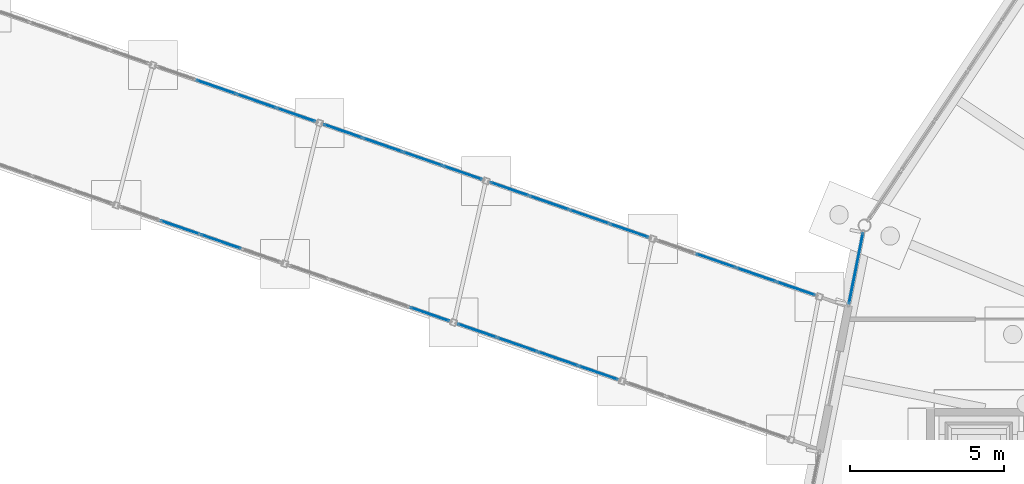
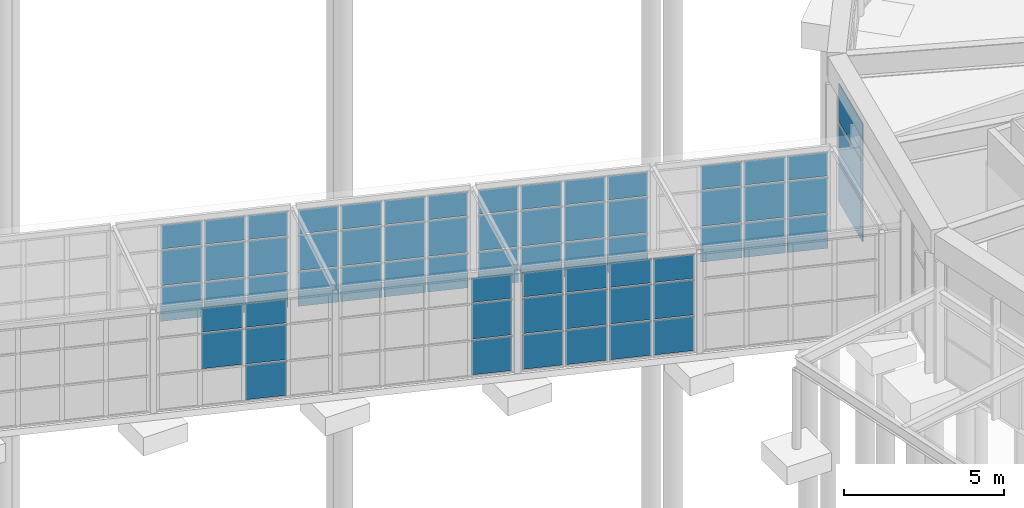
# One storey, part 126 of 226: 65 plates, 8 elements without a shape of their own.
"""IFC4 building model written with IfcOpenShell, lengths in metres."""

from ifc_helpers import new_model, si_unit, direction, frame, origin, origin_2d, place, context, subcontext, project, spatial, rectangle, extrude, material, layer, layer_set, type_object, element, aggregate, save


model = new_model("IFC4")

# Units and contexts
model_context = context("Model", 3, precision=1e-05, world=origin(), true_north=direction((0.0, 1.0)))
body_context = subcontext(model_context, "Body", "Model", "MODEL_VIEW")
ifc_project = project(units=[si_unit("LENGTHUNIT", "METRE"), si_unit("AREAUNIT", "SQUARE_METRE"), si_unit("VOLUMEUNIT", "CUBIC_METRE"), si_unit("PLANEANGLEUNIT", "RADIAN"), si_unit("MASSUNIT", "GRAM", prefix="KILO")], contexts=[model_context])

# Site, building, storey
site_placement = place(None, origin())
site = spatial("IfcSite", under=ifc_project, at=site_placement, CompositionType="ELEMENT")
building_placement = place(site_placement, origin())
building = spatial("IfcBuilding", under=site, at=building_placement, Name="Ceibo Conservatory and Research Tower", CompositionType="ELEMENT")
storey_placement = place(building_placement, origin())
storey = spatial("IfcBuildingStorey", under=building, at=storey_placement, Name="L00", CompositionType="ELEMENT", Elevation=0.0)

# Curtain wall, plates
ifc_material_1 = material(Name="Aluminium and glass", Category="aluminium")
curtain_wall_type_1 = type_object("IfcCurtainWallType", Name="Gallery curtain wall", PredefinedType="NOTDEFINED", material=ifc_material_1)
curtain_wall_1_placement = place(storey_placement, origin())
curtain_wall_1 = element("IfcCurtainWall", 1, at=curtain_wall_1_placement, inside=storey, type_object=curtain_wall_type_1, Name="Gallery curtain wall AUD-VC-CWN11", PredefinedType="NOTDEFINED")
ifc_material_2 = material(Name="Laminated glass", Category="glass")
ifc_layer_1 = layer(ifc_material_2, 0.028076171875)
ifc_layer_set_1 = layer_set([ifc_layer_1], Name="Laminated glass")
plate_type_1 = type_object("IfcPlateType", Name="Gallery glass 28", PredefinedType="CURTAIN_PANEL", material=ifc_layer_set_1)
plate_1_placement = place(storey_placement, frame((122.8818359375, 50.451171875, 0.06005859375), z_axis=(0.0, 0.0, 1.0), x_axis=(0.944579236191, -0.328283515513, 0.0)))
plate_1 = element("IfcPlate", 2, at=plate_1_placement, type_object=plate_type_1, Name="AUD-VC-CWN11 panel 2.1", PredefinedType="CURTAIN_PANEL", context=body_context, shape_type="SweptSolid", body=[
    extrude(rectangle(XDim=1.32470703125, YDim=0.028076171875, at=origin_2d()), origin(), (0.0, 0.0, 1.0), 1.31005859375),
])
plate_2_placement = place(storey_placement, frame((122.8818359375, 50.451171875, 1.43017578125), z_axis=(0.0, 0.0, 1.0), x_axis=(0.944579236191, -0.328283515513, 0.0)))
plate_2 = element("IfcPlate", 3, at=plate_2_placement, type_object=plate_type_1, Name="AUD-VC-CWN11 panel 2.2", PredefinedType="CURTAIN_PANEL", context=body_context, shape_type="SweptSolid", body=[
    extrude(rectangle(XDim=1.32470703125, YDim=0.028076171875, at=origin_2d()), origin(), (0.0, 0.0, 1.0), 1.340087890625),
])
plate_3_placement = place(storey_placement, frame((122.8818359375, 50.451171875, 2.830078125), z_axis=(0.0, 0.0, 1.0), x_axis=(0.944579236191, -0.328283515513, 0.0)))
plate_3 = element("IfcPlate", 4, at=plate_3_placement, type_object=plate_type_1, Name="AUD-VC-CWN11 panel 2.3", PredefinedType="CURTAIN_PANEL", context=body_context, shape_type="SweptSolid", body=[
    extrude(rectangle(XDim=1.32470703125, YDim=0.028076171875, at=origin_2d()), origin(), (0.0, 0.0, 1.0), 0.909912109375),
])
plate_4_placement = place(storey_placement, frame((124.189697265625, 49.99658203125, 0.06005859375), z_axis=(0.0, 0.0, 1.0), x_axis=(0.944579236191, -0.328283515513, 0.0)))
plate_4 = element("IfcPlate", 5, at=plate_4_placement, type_object=plate_type_1, Name="AUD-VC-CWN11 panel 3.1", PredefinedType="CURTAIN_PANEL", context=body_context, shape_type="SweptSolid", body=[
    extrude(rectangle(XDim=1.32470703125, YDim=0.028076171875, at=origin_2d()), origin(), (0.0, 0.0, 1.0), 1.31005859375),
])
plate_5_placement = place(storey_placement, frame((124.189697265625, 49.99658203125, 1.43017578125), z_axis=(0.0, 0.0, 1.0), x_axis=(0.944579236191, -0.328283515513, 0.0)))
plate_5 = element("IfcPlate", 6, at=plate_5_placement, type_object=plate_type_1, Name="AUD-VC-CWN11 panel 3.2", PredefinedType="CURTAIN_PANEL", context=body_context, shape_type="SweptSolid", body=[
    extrude(rectangle(XDim=1.32470703125, YDim=0.028076171875, at=origin_2d()), origin(), (0.0, 0.0, 1.0), 1.340087890625),
])
plate_6_placement = place(storey_placement, frame((124.189697265625, 49.99658203125, 2.830078125), z_axis=(0.0, 0.0, 1.0), x_axis=(0.944579236191, -0.328283515513, 0.0)))
plate_6 = element("IfcPlate", 7, at=plate_6_placement, type_object=plate_type_1, Name="AUD-VC-CWN11 panel 3.3", PredefinedType="CURTAIN_PANEL", context=body_context, shape_type="SweptSolid", body=[
    extrude(rectangle(XDim=1.32470703125, YDim=0.028076171875, at=origin_2d()), origin(), (0.0, 0.0, 1.0), 0.909912109375),
])
plate_7_placement = place(storey_placement, frame((125.4833984375, 49.546875, 0.06005859375), z_axis=(0.0, 0.0, 1.0), x_axis=(0.944579236191, -0.328283515513, 0.0)))
plate_7 = element("IfcPlate", 8, at=plate_7_placement, type_object=plate_type_1, Name="AUD-VC-CWN11 panel 4.1", PredefinedType="CURTAIN_PANEL", context=body_context, shape_type="SweptSolid", body=[
    extrude(rectangle(XDim=1.294677734375, YDim=0.028076171875, at=origin_2d()), origin(), (0.0, 0.0, 1.0), 1.31005859375),
])
plate_8_placement = place(storey_placement, frame((125.4833984375, 49.546875, 1.43017578125), z_axis=(0.0, 0.0, 1.0), x_axis=(0.944579236191, -0.328283515513, 0.0)))
plate_8 = element("IfcPlate", 9, at=plate_8_placement, type_object=plate_type_1, Name="AUD-VC-CWN11 panel 4.2", PredefinedType="CURTAIN_PANEL", context=body_context, shape_type="SweptSolid", body=[
    extrude(rectangle(XDim=1.294677734375, YDim=0.028076171875, at=origin_2d()), origin(), (0.0, 0.0, 1.0), 1.340087890625),
])
plate_9_placement = place(storey_placement, frame((125.4833984375, 49.546875, 2.830078125), z_axis=(0.0, 0.0, 1.0), x_axis=(0.944579236191, -0.328283515513, 0.0)))
plate_9 = element("IfcPlate", 10, at=plate_9_placement, type_object=plate_type_1, Name="AUD-VC-CWN11 panel 4.3", PredefinedType="CURTAIN_PANEL", context=body_context, shape_type="SweptSolid", body=[
    extrude(rectangle(XDim=1.294677734375, YDim=0.028076171875, at=origin_2d()), origin(), (0.0, 0.0, 1.0), 0.909912109375),
])
aggregate(curtain_wall_1, [plate_1, plate_2, plate_3, plate_4, plate_5, plate_6, plate_7, plate_8, plate_9])

curtain_wall_2_placement = place(storey_placement, origin())
curtain_wall_2 = element("IfcCurtainWall", 11, at=curtain_wall_2_placement, inside=storey, type_object=curtain_wall_type_1, Name="Gallery curtain wall AUD-VC-CWN12", PredefinedType="NOTDEFINED")
plate_10_placement = place(storey_placement, frame((127.008544921875, 49.016845703125, 0.06005859375), z_axis=(0.0, 0.0, 1.0), x_axis=(0.944579236191, -0.328283515513, 0.0)))
plate_10 = element("IfcPlate", 12, at=plate_10_placement, type_object=plate_type_1, Name="AUD-VC-CWN12 panel 1.1", PredefinedType="CURTAIN_PANEL", context=body_context, shape_type="SweptSolid", body=[
    extrude(rectangle(XDim=1.294677734375, YDim=0.028076171875, at=origin_2d()), origin(), (0.0, 0.0, 1.0), 1.31005859375),
])
plate_11_placement = place(storey_placement, frame((127.008544921875, 49.016845703125, 1.43017578125), z_axis=(0.0, 0.0, 1.0), x_axis=(0.944579236191, -0.328283515513, 0.0)))
plate_11 = element("IfcPlate", 13, at=plate_11_placement, type_object=plate_type_1, Name="AUD-VC-CWN12 panel 1.2", PredefinedType="CURTAIN_PANEL", context=body_context, shape_type="SweptSolid", body=[
    extrude(rectangle(XDim=1.294677734375, YDim=0.028076171875, at=origin_2d()), origin(), (0.0, 0.0, 1.0), 1.340087890625),
])
plate_12_placement = place(storey_placement, frame((127.008544921875, 49.016845703125, 2.830078125), z_axis=(0.0, 0.0, 1.0), x_axis=(0.944579236191, -0.328283515513, 0.0)))
plate_12 = element("IfcPlate", 14, at=plate_12_placement, type_object=plate_type_1, Name="AUD-VC-CWN12 panel 1.3", PredefinedType="CURTAIN_PANEL", context=body_context, shape_type="SweptSolid", body=[
    extrude(rectangle(XDim=1.294677734375, YDim=0.028076171875, at=origin_2d()), origin(), (0.0, 0.0, 1.0), 0.909912109375),
])
plate_13_placement = place(storey_placement, frame((128.302490234375, 48.567138671875, 0.06005859375), z_axis=(0.0, 0.0, 1.0), x_axis=(0.944579236191, -0.328283515513, 0.0)))
plate_13 = element("IfcPlate", 15, at=plate_13_placement, type_object=plate_type_1, Name="AUD-VC-CWN12 panel 2.1", PredefinedType="CURTAIN_PANEL", context=body_context, shape_type="SweptSolid", body=[
    extrude(rectangle(XDim=1.32470703125, YDim=0.028076171875, at=origin_2d()), origin(), (0.0, 0.0, 1.0), 1.31005859375),
])
plate_14_placement = place(storey_placement, frame((128.302490234375, 48.567138671875, 1.43017578125), z_axis=(0.0, 0.0, 1.0), x_axis=(0.944579236191, -0.328283515513, 0.0)))
plate_14 = element("IfcPlate", 16, at=plate_14_placement, type_object=plate_type_1, Name="AUD-VC-CWN12 panel 2.2", PredefinedType="CURTAIN_PANEL", context=body_context, shape_type="SweptSolid", body=[
    extrude(rectangle(XDim=1.32470703125, YDim=0.028076171875, at=origin_2d()), origin(), (0.0, 0.0, 1.0), 1.340087890625),
])
plate_15_placement = place(storey_placement, frame((128.302490234375, 48.567138671875, 2.830078125), z_axis=(0.0, 0.0, 1.0), x_axis=(0.944579236191, -0.328283515513, 0.0)))
plate_15 = element("IfcPlate", 17, at=plate_15_placement, type_object=plate_type_1, Name="AUD-VC-CWN12 panel 2.3", PredefinedType="CURTAIN_PANEL", context=body_context, shape_type="SweptSolid", body=[
    extrude(rectangle(XDim=1.32470703125, YDim=0.028076171875, at=origin_2d()), origin(), (0.0, 0.0, 1.0), 0.909912109375),
])
plate_16_placement = place(storey_placement, frame((129.6103515625, 48.112548828125, 0.06005859375), z_axis=(0.0, 0.0, 1.0), x_axis=(0.944579236191, -0.328283515513, 0.0)))
plate_16 = element("IfcPlate", 18, at=plate_16_placement, type_object=plate_type_1, Name="AUD-VC-CWN12 panel 3.1", PredefinedType="CURTAIN_PANEL", context=body_context, shape_type="SweptSolid", body=[
    extrude(rectangle(XDim=1.32470703125, YDim=0.028076171875, at=origin_2d()), origin(), (0.0, 0.0, 1.0), 1.31005859375),
])
plate_17_placement = place(storey_placement, frame((129.6103515625, 48.112548828125, 1.43017578125), z_axis=(0.0, 0.0, 1.0), x_axis=(0.944579236191, -0.328283515513, 0.0)))
plate_17 = element("IfcPlate", 19, at=plate_17_placement, type_object=plate_type_1, Name="AUD-VC-CWN12 panel 3.2", PredefinedType="CURTAIN_PANEL", context=body_context, shape_type="SweptSolid", body=[
    extrude(rectangle(XDim=1.32470703125, YDim=0.028076171875, at=origin_2d()), origin(), (0.0, 0.0, 1.0), 1.340087890625),
])
plate_18_placement = place(storey_placement, frame((129.6103515625, 48.112548828125, 2.830078125), z_axis=(0.0, 0.0, 1.0), x_axis=(0.944579236191, -0.328283515513, 0.0)))
plate_18 = element("IfcPlate", 20, at=plate_18_placement, type_object=plate_type_1, Name="AUD-VC-CWN12 panel 3.3", PredefinedType="CURTAIN_PANEL", context=body_context, shape_type="SweptSolid", body=[
    extrude(rectangle(XDim=1.32470703125, YDim=0.028076171875, at=origin_2d()), origin(), (0.0, 0.0, 1.0), 0.909912109375),
])
plate_19_placement = place(storey_placement, frame((130.904052734375, 47.6630859375, 0.06005859375), z_axis=(0.0, 0.0, 1.0), x_axis=(0.944579236191, -0.328283515513, 0.0)))
plate_19 = element("IfcPlate", 21, at=plate_19_placement, type_object=plate_type_1, Name="AUD-VC-CWN12 panel 4.1", PredefinedType="CURTAIN_PANEL", context=body_context, shape_type="SweptSolid", body=[
    extrude(rectangle(XDim=1.294677734375, YDim=0.028076171875, at=origin_2d()), origin(), (0.0, 0.0, 1.0), 1.31005859375),
])
plate_20_placement = place(storey_placement, frame((130.904052734375, 47.6630859375, 1.43017578125), z_axis=(0.0, 0.0, 1.0), x_axis=(0.944579236191, -0.328283515513, 0.0)))
plate_20 = element("IfcPlate", 22, at=plate_20_placement, type_object=plate_type_1, Name="AUD-VC-CWN12 panel 4.2", PredefinedType="CURTAIN_PANEL", context=body_context, shape_type="SweptSolid", body=[
    extrude(rectangle(XDim=1.294677734375, YDim=0.028076171875, at=origin_2d()), origin(), (0.0, 0.0, 1.0), 1.340087890625),
])
plate_21_placement = place(storey_placement, frame((130.904052734375, 47.6630859375, 2.830078125), z_axis=(0.0, 0.0, 1.0), x_axis=(0.944579236191, -0.328283515513, 0.0)))
plate_21 = element("IfcPlate", 23, at=plate_21_placement, type_object=plate_type_1, Name="AUD-VC-CWN12 panel 4.3", PredefinedType="CURTAIN_PANEL", context=body_context, shape_type="SweptSolid", body=[
    extrude(rectangle(XDim=1.294677734375, YDim=0.028076171875, at=origin_2d()), origin(), (0.0, 0.0, 1.0), 0.909912109375),
])
aggregate(curtain_wall_2, [plate_10, plate_11, plate_12, plate_13, plate_14, plate_15, plate_16, plate_17, plate_18, plate_19, plate_20, plate_21])

curtain_wall_3_placement = place(storey_placement, origin())
curtain_wall_3 = element("IfcCurtainWall", 24, at=curtain_wall_3_placement, inside=storey, type_object=curtain_wall_type_1, Name="Gallery curtain wall AUD-VC-CWN13", PredefinedType="NOTDEFINED")
plate_22_placement = place(storey_placement, frame((132.42919921875, 47.133056640625, 0.06005859375), z_axis=(0.0, 0.0, 1.0), x_axis=(0.944579236191, -0.328283515513, 0.0)))
plate_22 = element("IfcPlate", 25, at=plate_22_placement, type_object=plate_type_1, Name="AUD-VC-CWN13 panel 1.1", PredefinedType="CURTAIN_PANEL", context=body_context, shape_type="SweptSolid", body=[
    extrude(rectangle(XDim=1.294677734375, YDim=0.028076171875, at=origin_2d()), origin(), (0.0, 0.0, 1.0), 1.31005859375),
])
plate_23_placement = place(storey_placement, frame((132.42919921875, 47.133056640625, 1.43017578125), z_axis=(0.0, 0.0, 1.0), x_axis=(0.944579236191, -0.328283515513, 0.0)))
plate_23 = element("IfcPlate", 26, at=plate_23_placement, type_object=plate_type_1, Name="AUD-VC-CWN13 panel 1.2", PredefinedType="CURTAIN_PANEL", context=body_context, shape_type="SweptSolid", body=[
    extrude(rectangle(XDim=1.294677734375, YDim=0.028076171875, at=origin_2d()), origin(), (0.0, 0.0, 1.0), 1.340087890625),
])
plate_24_placement = place(storey_placement, frame((132.42919921875, 47.133056640625, 2.830078125), z_axis=(0.0, 0.0, 1.0), x_axis=(0.944579236191, -0.328283515513, 0.0)))
plate_24 = element("IfcPlate", 27, at=plate_24_placement, type_object=plate_type_1, Name="AUD-VC-CWN13 panel 1.3", PredefinedType="CURTAIN_PANEL", context=body_context, shape_type="SweptSolid", body=[
    extrude(rectangle(XDim=1.294677734375, YDim=0.028076171875, at=origin_2d()), origin(), (0.0, 0.0, 1.0), 0.909912109375),
])
plate_25_placement = place(storey_placement, frame((133.722900390625, 46.683349609375, 0.06005859375), z_axis=(0.0, 0.0, 1.0), x_axis=(0.944579236191, -0.328283515513, 0.0)))
plate_25 = element("IfcPlate", 28, at=plate_25_placement, type_object=plate_type_1, Name="AUD-VC-CWN13 panel 2.1", PredefinedType="CURTAIN_PANEL", context=body_context, shape_type="SweptSolid", body=[
    extrude(rectangle(XDim=1.32470703125, YDim=0.028076171875, at=origin_2d()), origin(), (0.0, 0.0, 1.0), 1.31005859375),
])
plate_26_placement = place(storey_placement, frame((133.722900390625, 46.683349609375, 1.43017578125), z_axis=(0.0, 0.0, 1.0), x_axis=(0.944579236191, -0.328283515513, 0.0)))
plate_26 = element("IfcPlate", 29, at=plate_26_placement, type_object=plate_type_1, Name="AUD-VC-CWN13 panel 2.2", PredefinedType="CURTAIN_PANEL", context=body_context, shape_type="SweptSolid", body=[
    extrude(rectangle(XDim=1.32470703125, YDim=0.028076171875, at=origin_2d()), origin(), (0.0, 0.0, 1.0), 1.340087890625),
])
plate_27_placement = place(storey_placement, frame((133.722900390625, 46.683349609375, 2.830078125), z_axis=(0.0, 0.0, 1.0), x_axis=(0.944579236191, -0.328283515513, 0.0)))
plate_27 = element("IfcPlate", 30, at=plate_27_placement, type_object=plate_type_1, Name="AUD-VC-CWN13 panel 2.3", PredefinedType="CURTAIN_PANEL", context=body_context, shape_type="SweptSolid", body=[
    extrude(rectangle(XDim=1.32470703125, YDim=0.028076171875, at=origin_2d()), origin(), (0.0, 0.0, 1.0), 0.909912109375),
])
plate_28_placement = place(storey_placement, frame((135.031005859375, 46.228759765625, 0.06005859375), z_axis=(0.0, 0.0, 1.0), x_axis=(0.944579236191, -0.328283515513, 0.0)))
plate_28 = element("IfcPlate", 31, at=plate_28_placement, type_object=plate_type_1, Name="AUD-VC-CWN13 panel 3.1", PredefinedType="CURTAIN_PANEL", context=body_context, shape_type="SweptSolid", body=[
    extrude(rectangle(XDim=1.32470703125, YDim=0.028076171875, at=origin_2d()), origin(), (0.0, 0.0, 1.0), 1.31005859375),
])
plate_29_placement = place(storey_placement, frame((135.031005859375, 46.228759765625, 1.43017578125), z_axis=(0.0, 0.0, 1.0), x_axis=(0.944579236191, -0.328283515513, 0.0)))
plate_29 = element("IfcPlate", 32, at=plate_29_placement, type_object=plate_type_1, Name="AUD-VC-CWN13 panel 3.2", PredefinedType="CURTAIN_PANEL", context=body_context, shape_type="SweptSolid", body=[
    extrude(rectangle(XDim=1.32470703125, YDim=0.028076171875, at=origin_2d()), origin(), (0.0, 0.0, 1.0), 1.340087890625),
])
plate_30_placement = place(storey_placement, frame((135.031005859375, 46.228759765625, 2.830078125), z_axis=(0.0, 0.0, 1.0), x_axis=(0.944579236191, -0.328283515513, 0.0)))
plate_30 = element("IfcPlate", 33, at=plate_30_placement, type_object=plate_type_1, Name="AUD-VC-CWN13 panel 3.3", PredefinedType="CURTAIN_PANEL", context=body_context, shape_type="SweptSolid", body=[
    extrude(rectangle(XDim=1.32470703125, YDim=0.028076171875, at=origin_2d()), origin(), (0.0, 0.0, 1.0), 0.909912109375),
])
plate_31_placement = place(storey_placement, frame((136.32470703125, 45.779052734375, 0.06005859375), z_axis=(0.0, 0.0, 1.0), x_axis=(0.944579236191, -0.328283515513, 0.0)))
plate_31 = element("IfcPlate", 34, at=plate_31_placement, type_object=plate_type_1, Name="AUD-VC-CWN13 panel 4.1", PredefinedType="CURTAIN_PANEL", context=body_context, shape_type="SweptSolid", body=[
    extrude(rectangle(XDim=1.294677734375, YDim=0.028076171875, at=origin_2d()), origin(), (0.0, 0.0, 1.0), 1.31005859375),
])
plate_32_placement = place(storey_placement, frame((136.32470703125, 45.779052734375, 1.43017578125), z_axis=(0.0, 0.0, 1.0), x_axis=(0.944579236191, -0.328283515513, 0.0)))
plate_32 = element("IfcPlate", 35, at=plate_32_placement, type_object=plate_type_1, Name="AUD-VC-CWN13 panel 4.2", PredefinedType="CURTAIN_PANEL", context=body_context, shape_type="SweptSolid", body=[
    extrude(rectangle(XDim=1.294677734375, YDim=0.028076171875, at=origin_2d()), origin(), (0.0, 0.0, 1.0), 1.340087890625),
])
plate_33_placement = place(storey_placement, frame((136.32470703125, 45.779052734375, 2.830078125), z_axis=(0.0, 0.0, 1.0), x_axis=(0.944579236191, -0.328283515513, 0.0)))
plate_33 = element("IfcPlate", 36, at=plate_33_placement, type_object=plate_type_1, Name="AUD-VC-CWN13 panel 4.3", PredefinedType="CURTAIN_PANEL", context=body_context, shape_type="SweptSolid", body=[
    extrude(rectangle(XDim=1.294677734375, YDim=0.028076171875, at=origin_2d()), origin(), (0.0, 0.0, 1.0), 0.909912109375),
])
aggregate(curtain_wall_3, [plate_22, plate_23, plate_24, plate_25, plate_26, plate_27, plate_28, plate_29, plate_30, plate_31, plate_32, plate_33])

curtain_wall_4_placement = place(storey_placement, origin())
curtain_wall_4 = element("IfcCurtainWall", 37, at=curtain_wall_4_placement, inside=storey, type_object=curtain_wall_type_1, Name="Gallery curtain wall AUD-VC-CWN14", PredefinedType="NOTDEFINED")
plate_34_placement = place(storey_placement, frame((139.1435546875, 44.79931640625, 0.06005859375), z_axis=(0.0, 0.0, 1.0), x_axis=(0.944579236191, -0.328283515513, 0.0)))
plate_34 = element("IfcPlate", 38, at=plate_34_placement, type_object=plate_type_1, Name="AUD-VC-CWN14 panel 2.1", PredefinedType="CURTAIN_PANEL", context=body_context, shape_type="SweptSolid", body=[
    extrude(rectangle(XDim=1.32470703125, YDim=0.028076171875, at=origin_2d()), origin(), (0.0, 0.0, 1.0), 1.31005859375),
])
plate_35_placement = place(storey_placement, frame((139.1435546875, 44.79931640625, 1.43017578125), z_axis=(0.0, 0.0, 1.0), x_axis=(0.944579236191, -0.328283515513, 0.0)))
plate_35 = element("IfcPlate", 39, at=plate_35_placement, type_object=plate_type_1, Name="AUD-VC-CWN14 panel 2.2", PredefinedType="CURTAIN_PANEL", context=body_context, shape_type="SweptSolid", body=[
    extrude(rectangle(XDim=1.32470703125, YDim=0.028076171875, at=origin_2d()), origin(), (0.0, 0.0, 1.0), 1.340087890625),
])
plate_36_placement = place(storey_placement, frame((139.1435546875, 44.79931640625, 2.830078125), z_axis=(0.0, 0.0, 1.0), x_axis=(0.944579236191, -0.328283515513, 0.0)))
plate_36 = element("IfcPlate", 40, at=plate_36_placement, type_object=plate_type_1, Name="AUD-VC-CWN14 panel 2.3", PredefinedType="CURTAIN_PANEL", context=body_context, shape_type="SweptSolid", body=[
    extrude(rectangle(XDim=1.32470703125, YDim=0.028076171875, at=origin_2d()), origin(), (0.0, 0.0, 1.0), 0.909912109375),
])
plate_37_placement = place(storey_placement, frame((140.451416015625, 44.344970703125, 0.06005859375), z_axis=(0.0, 0.0, 1.0), x_axis=(0.944579236191, -0.328283515513, 0.0)))
plate_37 = element("IfcPlate", 41, at=plate_37_placement, type_object=plate_type_1, Name="AUD-VC-CWN14 panel 3.1", PredefinedType="CURTAIN_PANEL", context=body_context, shape_type="SweptSolid", body=[
    extrude(rectangle(XDim=1.32470703125, YDim=0.028076171875, at=origin_2d()), origin(), (0.0, 0.0, 1.0), 1.31005859375),
])
plate_38_placement = place(storey_placement, frame((140.451416015625, 44.344970703125, 1.43017578125), z_axis=(0.0, 0.0, 1.0), x_axis=(0.944579236191, -0.328283515513, 0.0)))
plate_38 = element("IfcPlate", 42, at=plate_38_placement, type_object=plate_type_1, Name="AUD-VC-CWN14 panel 3.2", PredefinedType="CURTAIN_PANEL", context=body_context, shape_type="SweptSolid", body=[
    extrude(rectangle(XDim=1.32470703125, YDim=0.028076171875, at=origin_2d()), origin(), (0.0, 0.0, 1.0), 1.340087890625),
])
plate_39_placement = place(storey_placement, frame((140.451416015625, 44.344970703125, 2.830078125), z_axis=(0.0, 0.0, 1.0), x_axis=(0.944579236191, -0.328283515513, 0.0)))
plate_39 = element("IfcPlate", 43, at=plate_39_placement, type_object=plate_type_1, Name="AUD-VC-CWN14 panel 3.3", PredefinedType="CURTAIN_PANEL", context=body_context, shape_type="SweptSolid", body=[
    extrude(rectangle(XDim=1.32470703125, YDim=0.028076171875, at=origin_2d()), origin(), (0.0, 0.0, 1.0), 0.909912109375),
])
plate_40_placement = place(storey_placement, frame((141.745361328125, 43.895263671875, 0.06005859375), z_axis=(0.0, 0.0, 1.0), x_axis=(0.944579236191, -0.328283515513, 0.0)))
plate_40 = element("IfcPlate", 44, at=plate_40_placement, type_object=plate_type_1, Name="AUD-VC-CWN14 panel 4.1", PredefinedType="CURTAIN_PANEL", context=body_context, shape_type="SweptSolid", body=[
    extrude(rectangle(XDim=1.294677734375, YDim=0.028076171875, at=origin_2d()), origin(), (0.0, 0.0, 1.0), 1.31005859375),
])
plate_41_placement = place(storey_placement, frame((141.745361328125, 43.895263671875, 1.43017578125), z_axis=(0.0, 0.0, 1.0), x_axis=(0.944579236191, -0.328283515513, 0.0)))
plate_41 = element("IfcPlate", 45, at=plate_41_placement, type_object=plate_type_1, Name="AUD-VC-CWN14 panel 4.2", PredefinedType="CURTAIN_PANEL", context=body_context, shape_type="SweptSolid", body=[
    extrude(rectangle(XDim=1.294677734375, YDim=0.028076171875, at=origin_2d()), origin(), (0.0, 0.0, 1.0), 1.340087890625),
])
plate_42_placement = place(storey_placement, frame((141.745361328125, 43.895263671875, 2.830078125), z_axis=(0.0, 0.0, 1.0), x_axis=(0.944579236191, -0.328283515513, 0.0)))
plate_42 = element("IfcPlate", 46, at=plate_42_placement, type_object=plate_type_1, Name="AUD-VC-CWN14 panel 4.3", PredefinedType="CURTAIN_PANEL", context=body_context, shape_type="SweptSolid", body=[
    extrude(rectangle(XDim=1.294677734375, YDim=0.028076171875, at=origin_2d()), origin(), (0.0, 0.0, 1.0), 0.909912109375),
])
aggregate(curtain_wall_4, [plate_34, plate_35, plate_36, plate_37, plate_38, plate_39, plate_40, plate_41, plate_42])

curtain_wall_5_placement = place(storey_placement, origin())
curtain_wall_5 = element("IfcCurtainWall", 47, at=curtain_wall_5_placement, inside=storey, type_object=curtain_wall_type_1, Name="Gallery curtain wall AUD-VC-CWS11", PredefinedType="NOTDEFINED")
plate_43_placement = place(storey_placement, frame((121.710693359375, 45.88232421875, 1.43017578125), z_axis=(0.0, 0.0, 1.0), x_axis=(0.944579236191, -0.328283515513, 0.0)))
plate_43 = element("IfcPlate", 48, at=plate_43_placement, type_object=plate_type_1, Name="AUD-VC-CWS11 panel 2.2", PredefinedType="CURTAIN_PANEL", context=body_context, shape_type="SweptSolid", body=[
    extrude(rectangle(XDim=1.342529296875, YDim=0.028076171875, at=origin_2d()), origin(), (0.0, 0.0, 1.0), 1.340087890625),
])
plate_44_placement = place(storey_placement, frame((121.710693359375, 45.88232421875, 2.830078125), z_axis=(0.0, 0.0, 1.0), x_axis=(0.944579236191, -0.328283515513, 0.0)))
plate_44 = element("IfcPlate", 49, at=plate_44_placement, type_object=plate_type_1, Name="AUD-VC-CWS11 panel 2.3", PredefinedType="CURTAIN_PANEL", context=body_context, shape_type="SweptSolid", body=[
    extrude(rectangle(XDim=1.342529296875, YDim=0.028076171875, at=origin_2d()), origin(), (0.0, 0.0, 1.0), 0.909912109375),
])
plate_45_placement = place(storey_placement, frame((123.035400390625, 45.421875, 0.06005859375), z_axis=(0.0, 0.0, 1.0), x_axis=(0.944579236191, -0.328283515513, 0.0)))
plate_45 = element("IfcPlate", 50, at=plate_45_placement, type_object=plate_type_1, Name="AUD-VC-CWS11 panel 3.1", PredefinedType="CURTAIN_PANEL", context=body_context, shape_type="SweptSolid", body=[
    extrude(rectangle(XDim=1.342529296875, YDim=0.028076171875, at=origin_2d()), origin(), (0.0, 0.0, 1.0), 1.31005859375),
])
plate_46_placement = place(storey_placement, frame((123.035400390625, 45.421875, 1.43017578125), z_axis=(0.0, 0.0, 1.0), x_axis=(0.944579236191, -0.328283515513, 0.0)))
plate_46 = element("IfcPlate", 51, at=plate_46_placement, type_object=plate_type_1, Name="AUD-VC-CWS11 panel 3.2", PredefinedType="CURTAIN_PANEL", context=body_context, shape_type="SweptSolid", body=[
    extrude(rectangle(XDim=1.342529296875, YDim=0.028076171875, at=origin_2d()), origin(), (0.0, 0.0, 1.0), 1.340087890625),
])
plate_47_placement = place(storey_placement, frame((123.035400390625, 45.421875, 2.830078125), z_axis=(0.0, 0.0, 1.0), x_axis=(0.944579236191, -0.328283515513, 0.0)))
plate_47 = element("IfcPlate", 52, at=plate_47_placement, type_object=plate_type_1, Name="AUD-VC-CWS11 panel 3.3", PredefinedType="CURTAIN_PANEL", context=body_context, shape_type="SweptSolid", body=[
    extrude(rectangle(XDim=1.342529296875, YDim=0.028076171875, at=origin_2d()), origin(), (0.0, 0.0, 1.0), 0.909912109375),
])
aggregate(curtain_wall_5, [plate_43, plate_44, plate_45, plate_46, plate_47])

curtain_wall_6_placement = place(storey_placement, origin())
curtain_wall_6 = element("IfcCurtainWall", 53, at=curtain_wall_6_placement, inside=storey, type_object=curtain_wall_type_1, Name="Gallery curtain wall AUD-VC-CWS12", PredefinedType="NOTDEFINED")
plate_48_placement = place(storey_placement, frame((129.83447265625, 43.05908203125, 0.06005859375), z_axis=(0.0, 0.0, 1.0), x_axis=(0.944579236191, -0.328283515513, 0.0)))
plate_48 = element("IfcPlate", 54, at=plate_48_placement, type_object=plate_type_1, Name="AUD-VC-CWS12 panel 4.1", PredefinedType="CURTAIN_PANEL", context=body_context, shape_type="SweptSolid", body=[
    extrude(rectangle(XDim=1.3125, YDim=0.028076171875, at=origin_2d()), origin(), (0.0, 0.0, 1.0), 1.31005859375),
])
plate_49_placement = place(storey_placement, frame((129.83447265625, 43.05908203125, 1.43017578125), z_axis=(0.0, 0.0, 1.0), x_axis=(0.944579236191, -0.328283515513, 0.0)))
plate_49 = element("IfcPlate", 55, at=plate_49_placement, type_object=plate_type_1, Name="AUD-VC-CWS12 panel 4.2", PredefinedType="CURTAIN_PANEL", context=body_context, shape_type="SweptSolid", body=[
    extrude(rectangle(XDim=1.3125, YDim=0.028076171875, at=origin_2d()), origin(), (0.0, 0.0, 1.0), 1.340087890625),
])
plate_50_placement = place(storey_placement, frame((129.83447265625, 43.05908203125, 2.830078125), z_axis=(0.0, 0.0, 1.0), x_axis=(0.944579236191, -0.328283515513, 0.0)))
plate_50 = element("IfcPlate", 56, at=plate_50_placement, type_object=plate_type_1, Name="AUD-VC-CWS12 panel 4.3", PredefinedType="CURTAIN_PANEL", context=body_context, shape_type="SweptSolid", body=[
    extrude(rectangle(XDim=1.3125, YDim=0.028076171875, at=origin_2d()), origin(), (0.0, 0.0, 1.0), 0.909912109375),
])
aggregate(curtain_wall_6, [plate_48, plate_49, plate_50])

curtain_wall_7_placement = place(storey_placement, origin())
curtain_wall_7 = element("IfcCurtainWall", 57, at=curtain_wall_7_placement, inside=storey, type_object=curtain_wall_type_1, Name="Gallery curtain wall AUD-VC-CWS13", PredefinedType="NOTDEFINED")
plate_51_placement = place(storey_placement, frame((131.37646484375, 42.52294921875, 0.06005859375), z_axis=(0.0, 0.0, 1.0), x_axis=(0.944579236191, -0.328283515513, 0.0)))
plate_51 = element("IfcPlate", 58, at=plate_51_placement, type_object=plate_type_1, Name="AUD-VC-CWS13 panel 1.1", PredefinedType="CURTAIN_PANEL", context=body_context, shape_type="SweptSolid", body=[
    extrude(rectangle(XDim=1.3125, YDim=0.028076171875, at=origin_2d()), origin(), (0.0, 0.0, 1.0), 1.31005859375),
])
plate_52_placement = place(storey_placement, frame((131.37646484375, 42.52294921875, 1.43017578125), z_axis=(0.0, 0.0, 1.0), x_axis=(0.944579236191, -0.328283515513, 0.0)))
plate_52 = element("IfcPlate", 59, at=plate_52_placement, type_object=plate_type_1, Name="AUD-VC-CWS13 panel 1.2", PredefinedType="CURTAIN_PANEL", context=body_context, shape_type="SweptSolid", body=[
    extrude(rectangle(XDim=1.3125, YDim=0.028076171875, at=origin_2d()), origin(), (0.0, 0.0, 1.0), 1.340087890625),
])
plate_53_placement = place(storey_placement, frame((131.37646484375, 42.52294921875, 2.830078125), z_axis=(0.0, 0.0, 1.0), x_axis=(0.944579236191, -0.328283515513, 0.0)))
plate_53 = element("IfcPlate", 60, at=plate_53_placement, type_object=plate_type_1, Name="AUD-VC-CWS13 panel 1.3", PredefinedType="CURTAIN_PANEL", context=body_context, shape_type="SweptSolid", body=[
    extrude(rectangle(XDim=1.3125, YDim=0.028076171875, at=origin_2d()), origin(), (0.0, 0.0, 1.0), 0.909912109375),
])
plate_54_placement = place(storey_placement, frame((132.687255859375, 42.067626953125, 0.06005859375), z_axis=(0.0, 0.0, 1.0), x_axis=(0.944579236191, -0.328283515513, 0.0)))
plate_54 = element("IfcPlate", 61, at=plate_54_placement, type_object=plate_type_1, Name="AUD-VC-CWS13 panel 2.1", PredefinedType="CURTAIN_PANEL", context=body_context, shape_type="SweptSolid", body=[
    extrude(rectangle(XDim=1.342529296875, YDim=0.028076171875, at=origin_2d()), origin(), (0.0, 0.0, 1.0), 1.31005859375),
])
plate_55_placement = place(storey_placement, frame((132.687255859375, 42.067626953125, 1.43017578125), z_axis=(0.0, 0.0, 1.0), x_axis=(0.944579236191, -0.328283515513, 0.0)))
plate_55 = element("IfcPlate", 62, at=plate_55_placement, type_object=plate_type_1, Name="AUD-VC-CWS13 panel 2.2", PredefinedType="CURTAIN_PANEL", context=body_context, shape_type="SweptSolid", body=[
    extrude(rectangle(XDim=1.342529296875, YDim=0.028076171875, at=origin_2d()), origin(), (0.0, 0.0, 1.0), 1.340087890625),
])
plate_56_placement = place(storey_placement, frame((132.687255859375, 42.067626953125, 2.830078125), z_axis=(0.0, 0.0, 1.0), x_axis=(0.944579236191, -0.328283515513, 0.0)))
plate_56 = element("IfcPlate", 63, at=plate_56_placement, type_object=plate_type_1, Name="AUD-VC-CWS13 panel 2.3", PredefinedType="CURTAIN_PANEL", context=body_context, shape_type="SweptSolid", body=[
    extrude(rectangle(XDim=1.342529296875, YDim=0.028076171875, at=origin_2d()), origin(), (0.0, 0.0, 1.0), 0.909912109375),
])
plate_57_placement = place(storey_placement, frame((134.01220703125, 41.607177734375, 0.06005859375), z_axis=(0.0, 0.0, 1.0), x_axis=(0.944579236191, -0.328283515513, 0.0)))
plate_57 = element("IfcPlate", 64, at=plate_57_placement, type_object=plate_type_1, Name="AUD-VC-CWS13 panel 3.1", PredefinedType="CURTAIN_PANEL", context=body_context, shape_type="SweptSolid", body=[
    extrude(rectangle(XDim=1.342529296875, YDim=0.028076171875, at=origin_2d()), origin(), (0.0, 0.0, 1.0), 1.31005859375),
])
plate_58_placement = place(storey_placement, frame((134.01220703125, 41.607177734375, 1.43017578125), z_axis=(0.0, 0.0, 1.0), x_axis=(0.944579236191, -0.328283515513, 0.0)))
plate_58 = element("IfcPlate", 65, at=plate_58_placement, type_object=plate_type_1, Name="AUD-VC-CWS13 panel 3.2", PredefinedType="CURTAIN_PANEL", context=body_context, shape_type="SweptSolid", body=[
    extrude(rectangle(XDim=1.342529296875, YDim=0.028076171875, at=origin_2d()), origin(), (0.0, 0.0, 1.0), 1.340087890625),
])
plate_59_placement = place(storey_placement, frame((134.01220703125, 41.607177734375, 2.830078125), z_axis=(0.0, 0.0, 1.0), x_axis=(0.944579236191, -0.328283515513, 0.0)))
plate_59 = element("IfcPlate", 66, at=plate_59_placement, type_object=plate_type_1, Name="AUD-VC-CWS13 panel 3.3", PredefinedType="CURTAIN_PANEL", context=body_context, shape_type="SweptSolid", body=[
    extrude(rectangle(XDim=1.342529296875, YDim=0.028076171875, at=origin_2d()), origin(), (0.0, 0.0, 1.0), 0.909912109375),
])
plate_60_placement = place(storey_placement, frame((135.32275390625, 41.151611328125, 0.06005859375), z_axis=(0.0, 0.0, 1.0), x_axis=(0.944579236191, -0.328283515513, 0.0)))
plate_60 = element("IfcPlate", 67, at=plate_60_placement, type_object=plate_type_1, Name="AUD-VC-CWS13 panel 4.1", PredefinedType="CURTAIN_PANEL", context=body_context, shape_type="SweptSolid", body=[
    extrude(rectangle(XDim=1.3125, YDim=0.028076171875, at=origin_2d()), origin(), (0.0, 0.0, 1.0), 1.31005859375),
])
plate_61_placement = place(storey_placement, frame((135.32275390625, 41.151611328125, 1.43017578125), z_axis=(0.0, 0.0, 1.0), x_axis=(0.944579236191, -0.328283515513, 0.0)))
plate_61 = element("IfcPlate", 68, at=plate_61_placement, type_object=plate_type_1, Name="AUD-VC-CWS13 panel 4.2", PredefinedType="CURTAIN_PANEL", context=body_context, shape_type="SweptSolid", body=[
    extrude(rectangle(XDim=1.3125, YDim=0.028076171875, at=origin_2d()), origin(), (0.0, 0.0, 1.0), 1.340087890625),
])
plate_62_placement = place(storey_placement, frame((135.32275390625, 41.151611328125, 2.830078125), z_axis=(0.0, 0.0, 1.0), x_axis=(0.944579236191, -0.328283515513, 0.0)))
plate_62 = element("IfcPlate", 69, at=plate_62_placement, type_object=plate_type_1, Name="AUD-VC-CWS13 panel 4.3", PredefinedType="CURTAIN_PANEL", context=body_context, shape_type="SweptSolid", body=[
    extrude(rectangle(XDim=1.3125, YDim=0.028076171875, at=origin_2d()), origin(), (0.0, 0.0, 1.0), 0.909912109375),
])
aggregate(curtain_wall_7, [plate_51, plate_52, plate_53, plate_54, plate_55, plate_56, plate_57, plate_58, plate_59, plate_60, plate_61, plate_62])

curtain_wall_type_2 = type_object("IfcCurtainWallType", Name="Pavilion curtain wall", PredefinedType="NOTDEFINED", material=ifc_material_1)
curtain_wall_8_placement = place(storey_placement, origin())
curtain_wall_8 = element("IfcCurtainWall", 70, at=curtain_wall_8_placement, inside=storey, type_object=curtain_wall_type_2, Name="Pavilion curtain wall VC-CW08W", PredefinedType="NOTDEFINED")
ifc_layer_2 = layer(ifc_material_2, 0.028076171875)
ifc_layer_set_2 = layer_set([ifc_layer_2], Name="Laminated glass")
plate_type_2 = type_object("IfcPlateType", Name="Pavilion glass 28", PredefinedType="CURTAIN_PANEL", material=ifc_layer_set_2)
plate_63_placement = place(storey_placement, frame((143.700927734375, 44.551025390625, 0.06005859375), z_axis=(0.0, 0.0, 1.0), x_axis=(-0.195090311899, -0.980785282416, 0.0)))
plate_63 = element("IfcPlate", 71, at=plate_63_placement, type_object=plate_type_2, Name="VC-CW08W panel 1.1", PredefinedType="CURTAIN_PANEL", context=body_context, shape_type="SweptSolid", body=[
    extrude(rectangle(XDim=2.326171875, YDim=0.028076171875, at=origin_2d()), origin(), (0.0, 0.0, 1.0), 1.490966796875),
])
plate_64_placement = place(storey_placement, frame((143.700927734375, 44.551025390625, 1.61083984375), z_axis=(0.0, 0.0, 1.0), x_axis=(-0.195090311899, -0.980785282416, 0.0)))
plate_64 = element("IfcPlate", 72, at=plate_64_placement, type_object=plate_type_2, Name="VC-CW08W panel 1.2", PredefinedType="CURTAIN_PANEL", context=body_context, shape_type="SweptSolid", body=[
    extrude(rectangle(XDim=2.326171875, YDim=0.028076171875, at=origin_2d()), origin(), (0.0, 0.0, 1.0), 1.47412109375),
])
plate_65_placement = place(storey_placement, frame((143.700927734375, 44.551025390625, 3.14501953125), z_axis=(0.0, 0.0, 1.0), x_axis=(-0.195090311899, -0.980785282416, 0.0)))
plate_65 = element("IfcPlate", 73, at=plate_65_placement, type_object=plate_type_2, Name="VC-CW08W panel 1.3", PredefinedType="CURTAIN_PANEL", context=body_context, shape_type="SweptSolid", body=[
    extrude(rectangle(XDim=2.326171875, YDim=0.028076171875, at=origin_2d()), origin(), (0.0, 0.0, 1.0), 1.444091796875),
])
aggregate(curtain_wall_8, [plate_63, plate_64, plate_65])

save(model, "model.ifc")
